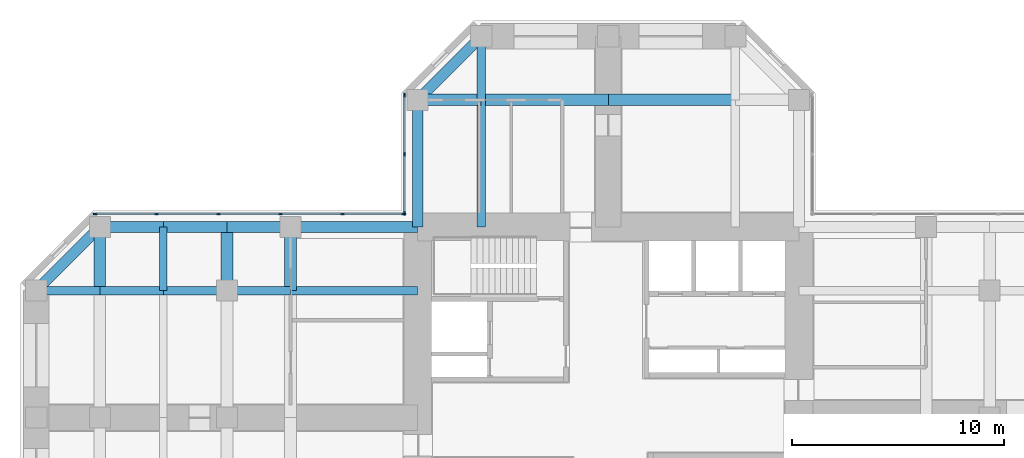
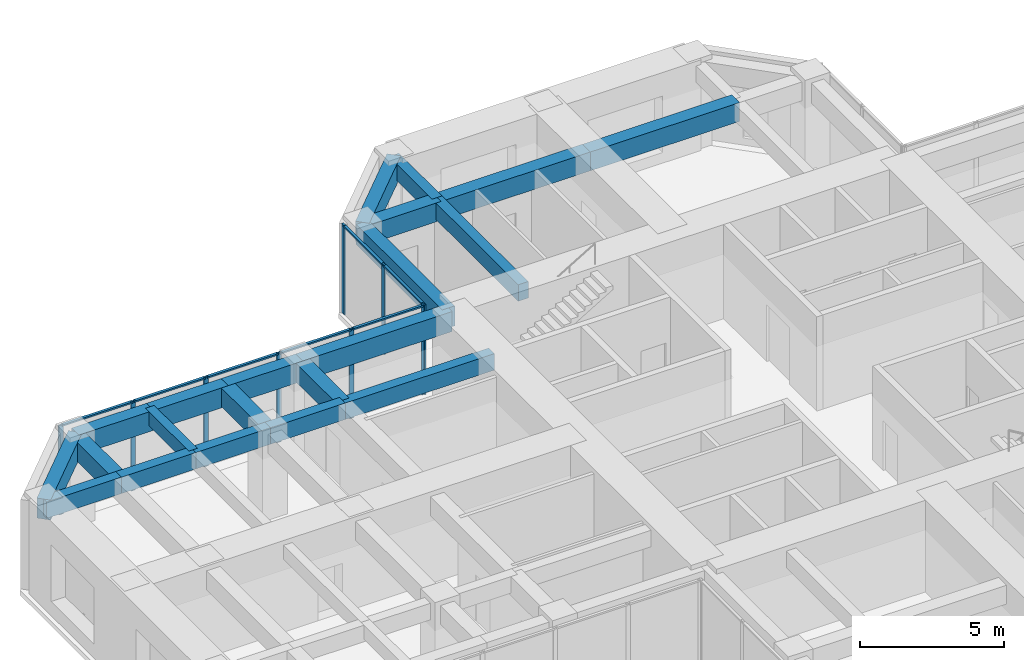
# One storey, part 5 of 12: 21 beams, 16 members, 2 elements without a shape of their own.
"""IFC4 building model written with IfcOpenShell, lengths in metres."""

from ifc_helpers import new_model, si_unit, direction, frame, origin, origin_2d, place, context, subcontext, project, spatial, rectangle, extrude, material, material_profile, profile_set, type_object, element, aggregate, save


model = new_model("IFC4")

# Units and contexts
model_context = context("Model", 3, precision=1e-05, world=origin(), true_north=direction((0.0, 1.0)))
body_context = subcontext(model_context, "Body", "Model", "MODEL_VIEW")
ifc_project = project(units=[si_unit("LENGTHUNIT", "METRE"), si_unit("AREAUNIT", "SQUARE_METRE"), si_unit("VOLUMEUNIT", "CUBIC_METRE"), si_unit("PLANEANGLEUNIT", "RADIAN"), si_unit("MASSUNIT", "GRAM", prefix="KILO")], contexts=[model_context])

# Site, building, storey
site_placement = place(None, origin())
site = spatial("IfcSite", under=ifc_project, at=site_placement, CompositionType="ELEMENT")
building_placement = place(site_placement, origin())
building = spatial("IfcBuilding", under=site, at=building_placement, Name="Torre Cruceta", CompositionType="ELEMENT")
storey_placement = place(building_placement, frame((0.0, 0.0, 148.5)))
storey = spatial("IfcBuildingStorey", under=building, at=storey_placement, Name="L36", CompositionType="ELEMENT", Elevation=148.5)

# Beams
ifc_material_1 = material(Name="Concrete G60 (fck 60 MPa)", Category="concrete")
ifc_material_profile_1 = material_profile(ifc_material_1, rectangle(XDim=0.39990234375, YDim=0.699951171875, at=origin_2d()), Name="RC 400X700")
ifc_profile_set_1 = profile_set([ifc_material_profile_1], Name="Concrete G60 (fck 60 MPa)")
beam_type_1 = type_object("IfcBeamType", Name="COLUMN LINE BEAM RC 400X700", PredefinedType="BEAM", material=ifc_profile_set_1)
beam_1_placement = place(storey_placement, frame((-6.0, 9.0, 3.449951171875), z_axis=(0.0, 1.0, 0.0), x_axis=(-1.0, 0.0, 0.0)))
element("IfcBeam", 1, at=beam_1_placement, inside=storey, type_object=beam_type_1, Name="LB5 L36 N col+ 1", PredefinedType="BEAM", context=body_context, shape_type="SweptSolid", body=[
    extrude(rectangle(XDim=0.39990234375, YDim=0.699951171875, at=origin_2d()), origin(), (0.0, 0.0, 1.0), 6.0),
])
beam_2_placement = place(storey_placement, frame((-6.0, 15.0, 3.449951171875), z_axis=(0.0, 1.0, 0.0), x_axis=(-1.0, 0.0, 0.0)))
element("IfcBeam", 2, at=beam_2_placement, inside=storey, type_object=beam_type_1, Name="LB5 L36 N col+ 2", PredefinedType="BEAM", context=body_context, shape_type="SweptSolid", body=[
    extrude(rectangle(XDim=0.39990234375, YDim=0.699951171875, at=origin_2d()), origin(), (0.0, 0.0, 1.0), 3.0),
])
beam_3_placement = place(storey_placement, frame((-9.0, 6.0, 3.449951171875), z_axis=(-1.0, 0.0, 0.0), x_axis=(0.0, -1.0, 0.0)))
element("IfcBeam", 3, at=beam_3_placement, inside=storey, type_object=beam_type_1, Name="LB5 L36 W col- 1", PredefinedType="BEAM", context=body_context, shape_type="SweptSolid", body=[
    extrude(rectangle(XDim=0.39990234375, YDim=0.699951171875, at=origin_2d()), origin(), (0.0, 0.0, 1.0), 6.0),
])
for number, where, z_axis, x_axis, name in (
    (4, (-15.0, 6.0, 3.449951171875), (-1.0, 0.0, 0.0), (0.0, -1.0, 0.0), "LB5 L36 W col- 2"),
    (5, (-18.0, 6.0, 3.449951171875), (-1.0, 0.0, 0.0), (0.0, -1.0, 0.0), "LB5 L36 W col- 3"),
    (6, (-21.0, 6.0, 3.449951171875), (-1.0, 0.0, 0.0), (0.0, -1.0, 0.0), "LB5 L36 W col- 4"),
    (7, (-24.0, 6.0, 3.449951171875), (-1.0, 0.0, 0.0), (0.0, -1.0, 0.0), "LB5 L36 W col- 5"),
):
    element("IfcBeam", number, at=place(storey_placement, frame(where, z_axis=z_axis, x_axis=x_axis)), inside=storey, type_object=beam_type_1, Name=name, PredefinedType="BEAM", context=body_context, shape_type="SweptSolid", body=[
        extrude(rectangle(XDim=0.39990234375, YDim=0.699951171875, at=origin_2d()), origin(), (0.0, 0.0, 1.0), 3.0),
    ])
ifc_material_2 = material(Name="Concrete G60 (fck 60 MPa)", Category="concrete")
ifc_material_profile_2 = material_profile(ifc_material_2, rectangle(XDim=0.550048828125, YDim=0.800048828125, at=origin_2d()), Name="RC 550X800")
ifc_profile_set_2 = profile_set([ifc_material_profile_2], Name="Concrete G60 (fck 60 MPa)")
beam_type_2 = type_object("IfcBeamType", Name="CROSS BEAM RC 550X800", PredefinedType="BEAM", material=ifc_profile_set_2)
for number, where, z_axis, x_axis, name in (
    (8, (6.0, 15.0, 3.39990234375), (-1.0, 0.0, 0.0), (0.0, -1.0, 0.0), "GB5 L36 N cross15 2"),
    (9, (0.0, 15.0, 3.39990234375), (-1.0, 0.0, 0.0), (0.0, -1.0, 0.0), "GB5 L36 N cross15 3"),
):
    element("IfcBeam", number, at=place(storey_placement, frame(where, z_axis=z_axis, x_axis=x_axis)), inside=storey, type_object=beam_type_2, Name=name, PredefinedType="BEAM", context=body_context, shape_type="SweptSolid", body=[
        extrude(rectangle(XDim=0.550048828125, YDim=0.800048828125, at=origin_2d()), origin(), (0.0, 0.0, 1.0), 6.0),
    ])
for number, where, z_axis, x_axis, name in (
    (10, (-6.0, 15.0, 3.39990234375), (-1.0, 0.0, 0.0), (0.0, -1.0, 0.0), "GB5 L36 N cross15 4"),
    (11, (-15.0, 9.0, 3.39990234375), (0.0, -1.0, 0.0), (1.0, 0.0, 0.0), "GB5 L36 W cross15 1"),
    (12, (-18.0, 9.0, 3.39990234375), (0.0, -1.0, 0.0), (1.0, 0.0, 0.0), "GB5 L36 W cross18 1"),
    (13, (-24.0, 9.0, 3.39990234375), (0.0, -1.0, 0.0), (1.0, 0.0, 0.0), "GB5 L36 W cross24 1"),
):
    element("IfcBeam", number, at=place(storey_placement, frame(where, z_axis=z_axis, x_axis=x_axis)), inside=storey, type_object=beam_type_2, Name=name, PredefinedType="BEAM", context=body_context, shape_type="SweptSolid", body=[
        extrude(rectangle(XDim=0.550048828125, YDim=0.800048828125, at=origin_2d()), origin(), (0.0, 0.0, 1.0), 3.0),
    ])

# Curtain wall, members
ifc_material_3 = material(Name="Aluminium unitised curtain wall", Category="aluminium")
curtain_wall_type = type_object("IfcCurtainWallType", Name="CURTAIN WALL CW-B OFFICE MID RISE", PredefinedType="USERDEFINED", material=ifc_material_3)
curtain_wall_1_placement = place(storey_placement, origin())
curtain_wall_1 = element("IfcCurtainWall", 14, at=curtain_wall_1_placement, inside=storey, type_object=curtain_wall_type, Name="CW-B L36 N side 09", ObjectType="UNITISED", PredefinedType="USERDEFINED")
ifc_material_4 = material(Name="Aluminium mullion", Category="aluminium")
ifc_material_profile_3 = material_profile(ifc_material_4, rectangle(XDim=0.06494140625, YDim=0.179931640625, at=origin_2d()), Name="AL 65X180")
ifc_profile_set_3 = profile_set([ifc_material_profile_3], Name="Aluminium mullion")
member_type_1 = type_object("IfcMemberType", Name="CW-B MULLION 65X180", PredefinedType="MULLION", material=ifc_profile_set_3)
member_1_placement = place(storey_placement, frame((-9.6201171875, 15.224365234375, 0.0), z_axis=(0.0, 0.0, 1.0), x_axis=(1.0, 0.0, 0.0)))
member_1 = element("IfcMember", 15, at=member_1_placement, type_object=member_type_1, Name="CW-B mullion 1", PredefinedType="MULLION", context=body_context, shape_type="SweptSolid", body=[
    extrude(rectangle(XDim=0.06494140625, YDim=0.179931640625, at=origin_2d()), origin(), (0.0, 0.0, 1.0), 3.800048828125),
])
member_2_placement = place(storey_placement, frame((-9.6201171875, 12.4384765625, 0.0), z_axis=(0.0, 0.0, 1.0), x_axis=(1.0, 0.0, 0.0)))
member_2 = element("IfcMember", 16, at=member_2_placement, type_object=member_type_1, Name="CW-B mullion 2", PredefinedType="MULLION", context=body_context, shape_type="SweptSolid", body=[
    extrude(rectangle(XDim=0.06494140625, YDim=0.179931640625, at=origin_2d()), origin(), (0.0, 0.0, 1.0), 3.800048828125),
])
member_3_placement = place(storey_placement, frame((-9.6201171875, 9.652587890625, 0.0), z_axis=(0.0, 0.0, 1.0), x_axis=(1.0, 0.0, 0.0)))
member_3 = element("IfcMember", 17, at=member_3_placement, type_object=member_type_1, Name="CW-B mullion 3", PredefinedType="MULLION", context=body_context, shape_type="SweptSolid", body=[
    extrude(rectangle(XDim=0.06494140625, YDim=0.179931640625, at=origin_2d()), origin(), (0.0, 0.0, 1.0), 3.800048828125),
])

curtain_wall_2_placement = place(storey_placement, origin())
curtain_wall_2 = element("IfcCurtainWall", 18, at=curtain_wall_2_placement, inside=storey, type_object=curtain_wall_type, Name="CW-B L36 W side 10", ObjectType="UNITISED", PredefinedType="USERDEFINED")
member_4_placement = place(storey_placement, frame((-9.652587890625, 9.6201171875, 0.0), z_axis=(0.0, 0.0, 1.0), x_axis=(0.0, -1.0, 0.0)))
member_4 = element("IfcMember", 19, at=member_4_placement, type_object=member_type_1, Name="CW-B mullion 1", PredefinedType="MULLION", context=body_context, shape_type="SweptSolid", body=[
    extrude(rectangle(XDim=0.06494140625, YDim=0.179931640625, at=origin_2d()), origin(), (0.0, 0.0, 1.0), 3.800048828125),
])
member_5_placement = place(storey_placement, frame((-12.54736328125, 9.6201171875, 0.0), z_axis=(0.0, 0.0, 1.0), x_axis=(0.0, -1.0, 0.0)))
member_5 = element("IfcMember", 20, at=member_5_placement, type_object=member_type_1, Name="CW-B mullion 2", PredefinedType="MULLION", context=body_context, shape_type="SweptSolid", body=[
    extrude(rectangle(XDim=0.06494140625, YDim=0.179931640625, at=origin_2d()), origin(), (0.0, 0.0, 1.0), 3.800048828125),
])
member_6_placement = place(storey_placement, frame((-15.474609375, 9.6201171875, 0.0), z_axis=(0.0, 0.0, 1.0), x_axis=(0.0, -1.0, 0.0)))
member_6 = element("IfcMember", 21, at=member_6_placement, type_object=member_type_1, Name="CW-B mullion 3", PredefinedType="MULLION", context=body_context, shape_type="SweptSolid", body=[
    extrude(rectangle(XDim=0.06494140625, YDim=0.179931640625, at=origin_2d()), origin(), (0.0, 0.0, 1.0), 3.800048828125),
])
member_7_placement = place(storey_placement, frame((-18.402099609375, 9.6201171875, 0.0), z_axis=(0.0, 0.0, 1.0), x_axis=(0.0, -1.0, 0.0)))
member_7 = element("IfcMember", 22, at=member_7_placement, type_object=member_type_1, Name="CW-B mullion 4", PredefinedType="MULLION", context=body_context, shape_type="SweptSolid", body=[
    extrude(rectangle(XDim=0.06494140625, YDim=0.179931640625, at=origin_2d()), origin(), (0.0, 0.0, 1.0), 3.800048828125),
])
member_8_placement = place(storey_placement, frame((-21.329345703125, 9.6201171875, 0.0), z_axis=(0.0, 0.0, 1.0), x_axis=(0.0, -1.0, 0.0)))
member_8 = element("IfcMember", 23, at=member_8_placement, type_object=member_type_1, Name="CW-B mullion 5", PredefinedType="MULLION", context=body_context, shape_type="SweptSolid", body=[
    extrude(rectangle(XDim=0.06494140625, YDim=0.179931640625, at=origin_2d()), origin(), (0.0, 0.0, 1.0), 3.800048828125),
])
member_9_placement = place(storey_placement, frame((-24.224365234375, 9.6201171875, 0.0), z_axis=(0.0, 0.0, 1.0), x_axis=(0.0, -1.0, 0.0)))
member_9 = element("IfcMember", 24, at=member_9_placement, type_object=member_type_1, Name="CW-B mullion 6", PredefinedType="MULLION", context=body_context, shape_type="SweptSolid", body=[
    extrude(rectangle(XDim=0.06494140625, YDim=0.179931640625, at=origin_2d()), origin(), (0.0, 0.0, 1.0), 3.800048828125),
])

# Member
ifc_material_5 = material(Name="Aluminium transom", Category="aluminium")
ifc_material_profile_4 = material_profile(ifc_material_5, rectangle(XDim=0.110107421875, YDim=0.06494140625, at=origin_2d()), Name="AL 110X65")
ifc_profile_set_4 = profile_set([ifc_material_profile_4], Name="Aluminium transom")
member_type_2 = type_object("IfcMemberType", Name="CW-B TRANSOM 65X110", PredefinedType="USERDEFINED", material=ifc_profile_set_4)
member_10_placement = place(storey_placement, frame((-9.6201171875, 15.19189453125, 3.767578125), z_axis=(0.0, -1.0, 0.0), x_axis=(1.0, 0.0, 0.0)))
member_10 = element("IfcMember", 25, at=member_10_placement, type_object=member_type_2, Name="CW-B transom 1", ObjectType="TRANSOM", PredefinedType="USERDEFINED", context=body_context, shape_type="SweptSolid", body=[
    extrude(rectangle(XDim=0.110107421875, YDim=0.06494140625, at=origin_2d()), origin(), (0.0, 0.0, 1.0), 2.720947265625),
])

member_11_placement = place(storey_placement, frame((-9.6201171875, 12.406005859375, 3.767578125), z_axis=(0.0, -1.0, 0.0), x_axis=(1.0, 0.0, 0.0)))
member_11 = element("IfcMember", 26, at=member_11_placement, type_object=member_type_2, Name="CW-B transom 2", ObjectType="TRANSOM", PredefinedType="USERDEFINED", context=body_context, shape_type="SweptSolid", body=[
    extrude(rectangle(XDim=0.110107421875, YDim=0.06494140625, at=origin_2d()), origin(), (0.0, 0.0, 1.0), 2.720947265625),
])

aggregate(curtain_wall_1, [member_1, member_2, member_3, member_10, member_11])

member_12_placement = place(storey_placement, frame((-9.68505859375, 9.6201171875, 3.767578125), z_axis=(-1.0, 0.0, 0.0), x_axis=(0.0, -1.0, 0.0)))
member_12 = element("IfcMember", 27, at=member_12_placement, type_object=member_type_2, Name="CW-B transom 1", ObjectType="TRANSOM", PredefinedType="USERDEFINED", context=body_context, shape_type="SweptSolid", body=[
    extrude(rectangle(XDim=0.110107421875, YDim=0.06494140625, at=origin_2d()), origin(), (0.0, 0.0, 1.0), 2.829833984375),
])

member_13_placement = place(storey_placement, frame((-12.579833984375, 9.6201171875, 3.767578125), z_axis=(-1.0, 0.0, 0.0), x_axis=(0.0, -1.0, 0.0)))
member_13 = element("IfcMember", 28, at=member_13_placement, type_object=member_type_2, Name="CW-B transom 2", ObjectType="TRANSOM", PredefinedType="USERDEFINED", context=body_context, shape_type="SweptSolid", body=[
    extrude(rectangle(XDim=0.110107421875, YDim=0.06494140625, at=origin_2d()), origin(), (0.0, 0.0, 1.0), 2.8623046875),
])

member_14_placement = place(storey_placement, frame((-15.50732421875, 9.6201171875, 3.767578125), z_axis=(-1.0, 0.0, 0.0), x_axis=(0.0, -1.0, 0.0)))
member_14 = element("IfcMember", 29, at=member_14_placement, type_object=member_type_2, Name="CW-B transom 3", ObjectType="TRANSOM", PredefinedType="USERDEFINED", context=body_context, shape_type="SweptSolid", body=[
    extrude(rectangle(XDim=0.110107421875, YDim=0.06494140625, at=origin_2d()), origin(), (0.0, 0.0, 1.0), 2.8623046875),
])

member_15_placement = place(storey_placement, frame((-18.4345703125, 9.6201171875, 3.767578125), z_axis=(-1.0, 0.0, 0.0), x_axis=(0.0, -1.0, 0.0)))
member_15 = element("IfcMember", 30, at=member_15_placement, type_object=member_type_2, Name="CW-B transom 4", ObjectType="TRANSOM", PredefinedType="USERDEFINED", context=body_context, shape_type="SweptSolid", body=[
    extrude(rectangle(XDim=0.110107421875, YDim=0.06494140625, at=origin_2d()), origin(), (0.0, 0.0, 1.0), 2.8623046875),
])

member_16_placement = place(storey_placement, frame((-21.362060546875, 9.6201171875, 3.767578125), z_axis=(-1.0, 0.0, 0.0), x_axis=(0.0, -1.0, 0.0)))
member_16 = element("IfcMember", 31, at=member_16_placement, type_object=member_type_2, Name="CW-B transom 5", ObjectType="TRANSOM", PredefinedType="USERDEFINED", context=body_context, shape_type="SweptSolid", body=[
    extrude(rectangle(XDim=0.110107421875, YDim=0.06494140625, at=origin_2d()), origin(), (0.0, 0.0, 1.0), 2.829833984375),
])

aggregate(curtain_wall_2, [member_4, member_5, member_6, member_7, member_8, member_9, member_12, member_13, member_14, member_15, member_16])

# Beams
ifc_material_6 = material(Name="Concrete G60 (fck 60 MPa)", Category="concrete")
ifc_material_profile_5 = material_profile(ifc_material_6, rectangle(XDim=0.35009765625, YDim=0.60009765625, at=origin_2d()), Name="RC 350X600")
ifc_profile_set_5 = profile_set([ifc_material_profile_5], Name="Concrete G60 (fck 60 MPa)")
beam_type_3 = type_object("IfcBeamType", Name="SECONDARY BEAM RC 350X600", PredefinedType="JOIST", material=ifc_profile_set_5)
beam_4_placement = place(storey_placement, frame((-21.0, 9.0, 3.5), z_axis=(0.0, -1.0, 0.0), x_axis=(1.0, 0.0, 0.0)))
element("IfcBeam", 32, at=beam_4_placement, inside=storey, type_object=beam_type_3, Name="JB5 L36 W sec21 1", PredefinedType="JOIST", context=body_context, shape_type="SweptSolid", body=[
    extrude(rectangle(XDim=0.35009765625, YDim=0.60009765625, at=origin_2d()), origin(), (0.0, 0.0, 1.0), 3.0),
])
ifc_material_7 = material(Name="Concrete G60 (fck 60 MPa)", Category="concrete")
ifc_material_profile_6 = material_profile(ifc_material_7, rectangle(XDim=0.5, YDim=0.85009765625, at=origin_2d()), Name="RC 500X850")
ifc_profile_set_6 = profile_set([ifc_material_profile_6], Name="Concrete G60 (fck 60 MPa)")
beam_type_4 = type_object("IfcBeamType", Name="SPANDREL BEAM RC 500X850", PredefinedType="SPANDREL", material=ifc_profile_set_6)
beam_5_placement = place(storey_placement, frame((-9.0, 9.0, 3.375), z_axis=(0.0, 1.0, 0.0), x_axis=(-1.0, 0.0, 0.0)))
element("IfcBeam", 33, at=beam_5_placement, inside=storey, type_object=beam_type_4, Name="SB5 L36 N side+ 1", PredefinedType="SPANDREL", context=body_context, shape_type="SweptSolid", body=[
    extrude(rectangle(XDim=0.5, YDim=0.85009765625, at=origin_2d()), origin(), (0.0, 0.0, 1.0), 6.0),
])
beam_6_placement = place(storey_placement, frame((-9.0, 15.0, 3.375), z_axis=(0.707106781187, 0.707106781187, 0.0), x_axis=(-0.707106781187, 0.707106781187, 0.0)))
element("IfcBeam", 34, at=beam_6_placement, inside=storey, type_object=beam_type_4, Name="SB5 L36 N side+ 2", PredefinedType="SPANDREL", context=body_context, shape_type="SweptSolid", body=[
    extrude(rectangle(XDim=0.5, YDim=0.85009765625, at=origin_2d()), origin(), (0.0, 0.0, 1.0), 4.24267578125),
])
beam_7_placement = place(storey_placement, frame((-9.0, 9.0, 3.375), z_axis=(-1.0, 0.0, 0.0), x_axis=(0.0, -1.0, 0.0)))
element("IfcBeam", 35, at=beam_7_placement, inside=storey, type_object=beam_type_4, Name="SB5 L36 W side- 1", PredefinedType="SPANDREL", context=body_context, shape_type="SweptSolid", body=[
    extrude(rectangle(XDim=0.5, YDim=0.85009765625, at=origin_2d()), origin(), (0.0, 0.0, 1.0), 6.0),
])
for number, where, z_axis, x_axis, name in (
    (36, (-15.0, 9.0, 3.375), (-1.0, 0.0, 0.0), (0.0, -1.0, 0.0), "SB5 L36 W side- 2"),
    (37, (-18.0, 9.0, 3.375), (-1.0, 0.0, 0.0), (0.0, -1.0, 0.0), "SB5 L36 W side- 3"),
    (38, (-21.0, 9.0, 3.375), (-1.0, 0.0, 0.0), (0.0, -1.0, 0.0), "SB5 L36 W side- 4"),
):
    element("IfcBeam", number, at=place(storey_placement, frame(where, z_axis=z_axis, x_axis=x_axis)), inside=storey, type_object=beam_type_4, Name=name, PredefinedType="SPANDREL", context=body_context, shape_type="SweptSolid", body=[
        extrude(rectangle(XDim=0.5, YDim=0.85009765625, at=origin_2d()), origin(), (0.0, 0.0, 1.0), 3.0),
    ])
beam_8_placement = place(storey_placement, frame((-24.0, 9.0, 3.375), z_axis=(-0.707106781187, -0.707106781187, 0.0), x_axis=(0.707106781187, -0.707106781187, 0.0)))
element("IfcBeam", 39, at=beam_8_placement, inside=storey, type_object=beam_type_4, Name="SB5 L36 W side- 5", PredefinedType="SPANDREL", context=body_context, shape_type="SweptSolid", body=[
    extrude(rectangle(XDim=0.5, YDim=0.85009765625, at=origin_2d()), origin(), (0.0, 0.0, 1.0), 4.24267578125),
])

save(model, "model.ifc")
